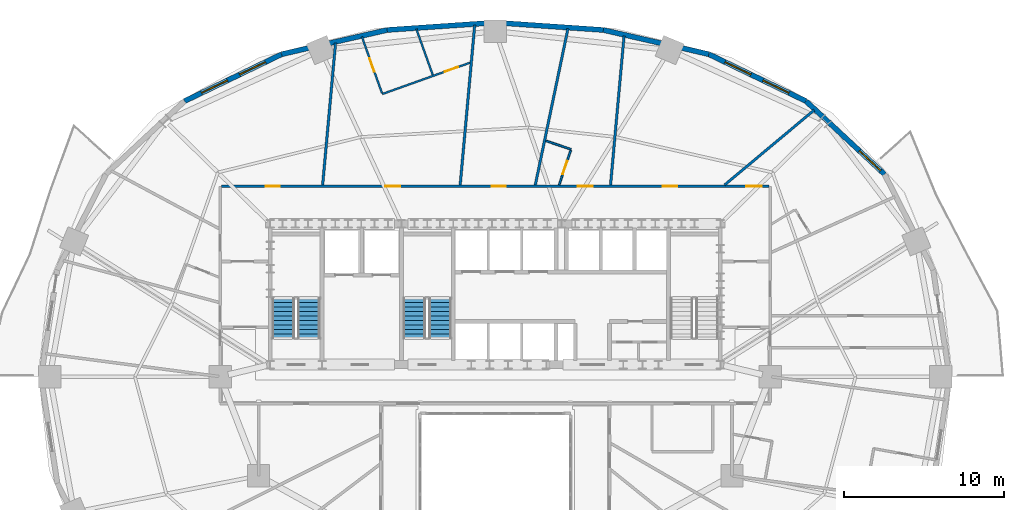
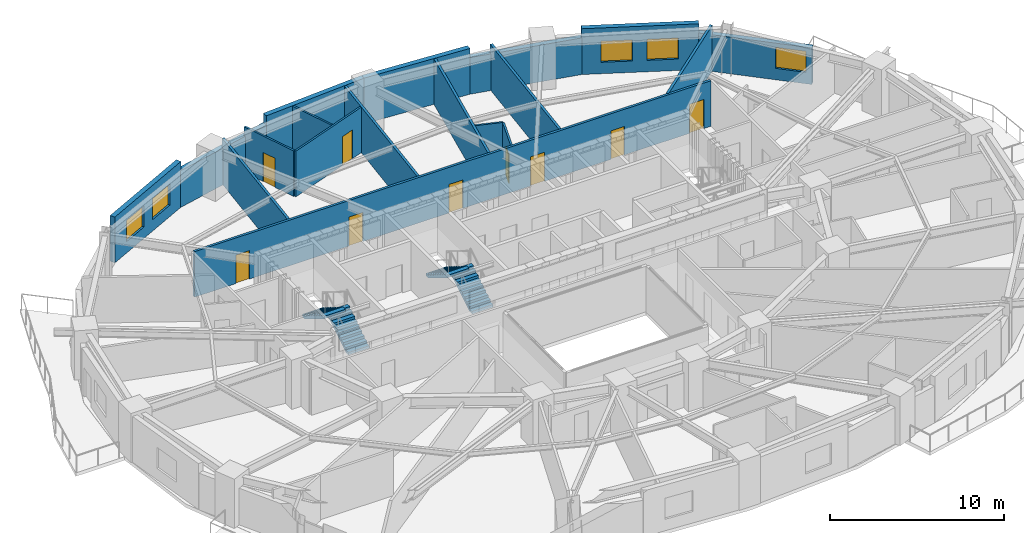
# One storey, part 11 of 15: 18 walls, 9 doors, 5 windows, 4 stair flights, 14 openings, 2 elements without a shape of their own.
"""IFC4 building model written with IfcOpenShell, lengths in metres."""

from ifc_helpers import new_model, si_unit, direction, frame, frame_2d, origin, place, context, subcontext, project, spatial, polyline, rectangle, outline, extrude, material, layer, layer_set, type_object, element, fill, aggregate, save


model = new_model("IFC4")

# Units and contexts
model_context = context("Model", 3, precision=1e-05, world=origin(), true_north=direction((0.0, 1.0)))
body_context = subcontext(model_context, "Body", "Model", "MODEL_VIEW")
ifc_project = project(units=[si_unit("LENGTHUNIT", "METRE"), si_unit("AREAUNIT", "SQUARE_METRE"), si_unit("VOLUMEUNIT", "CUBIC_METRE"), si_unit("PLANEANGLEUNIT", "RADIAN"), si_unit("MASSUNIT", "GRAM", prefix="KILO")], contexts=[model_context])

# Site, building, storey
site_placement = place(None, origin())
site = spatial("IfcSite", under=ifc_project, at=site_placement, CompositionType="ELEMENT")
building_placement = place(site_placement, origin())
building = spatial("IfcBuilding", under=site, at=building_placement, Name="Haldorwick Loom Tower", CompositionType="ELEMENT")
storey_placement = place(building_placement, frame((0.0, 0.0, 81.800048828125)))
storey = spatial("IfcBuildingStorey", under=building, at=storey_placement, Name="L21", CompositionType="ELEMENT", Elevation=81.800048828125)

# Wall, opening, window
ifc_material_1 = material(Name="Pressed Clay Face Brick and Insulated Masonry Backup Assembly", Category="masonry")
ifc_layer_1 = layer(ifc_material_1, 0.320068359375, Name="Pressed Clay Face Brick and Insulated Masonry Backup Assembly", Category="masonry")
ifc_layer_set_1 = layer_set([ifc_layer_1], Name="Pressed Clay Face Brick and Insulated Masonry Backup Assembly")
wall_type_1 = type_object("IfcWallType", Name="ARC-WL-EXT320", PredefinedType="STANDARD", material=ifc_layer_set_1)
wall_1_placement = place(storey_placement, frame((60.338623046875, 38.655517578125, 0.0), z_axis=(0.0, 0.0, 1.0), x_axis=(-0.732137360086, 0.681157020052, 0.0)))
wall_1 = element("IfcWall", 1, at=wall_1_placement, inside=storey, type_object=wall_type_1, Name="L21 Brick Pier and Spandrel Wall 3", PredefinedType="STANDARD", context=body_context, shape_type="SweptSolid", body=[
    extrude(rectangle(XDim=6.709228515625, YDim=0.320068359375, at=frame_2d((3.3544921875, 0.0))), origin(), (0.0, 0.0, 1.0), 2.56884765625),
])
opening_1_placement = place(wall_1_placement, frame((0.340087890625, 0.0, 0.800048828125)))
opening_1 = element("IfcOpeningElement", 2, at=opening_1_placement, cuts=wall_1, Name="Opening W-01", PredefinedType="OPENING", context=body_context, shape_type="SweptSolid", body=[
    extrude(rectangle(XDim=1.800048828125, YDim=1.47998046875, at=frame_2d((0.89990234375, 0.739990234375))), frame((0.0, 0.169921875, 0.0), z_axis=(0.0, -1.0, 0.0), x_axis=(1.0, 0.0, 0.0)), (0.0, 0.0, 1.0), 0.340087890625),
])
ifc_material_2 = material(Name="Triple-Glazed Low-E Argon Insulated Glazing Unit", Category="glass")
window_type = type_object("IfcWindowType", Name="ARC-WIN-W180", PartitioningType="SINGLE_PANEL", PredefinedType="WINDOW", material=ifc_material_2)
window_1_placement = place(opening_1_placement, origin())
window_1 = element("IfcWindow", 3, at=window_1_placement, inside=storey, type_object=window_type, Name="L21 Deep-Set Zone 7A Window 3", OverallHeight=1.47998046875, OverallWidth=1.800048828125, PartitioningType="SINGLE_PANEL", PredefinedType="WINDOW", context=body_context, shape_type="SweptSolid", body=[
    extrude(rectangle(XDim=1.800048828125, YDim=1.47998046875, at=frame_2d((0.89990234375, 0.739990234375))), frame((0.0, 0.030029296875, 0.0), z_axis=(0.0, -1.0, 0.0), x_axis=(1.0, 0.0, 0.0)), (0.0, 0.0, 1.0), 0.06005859375),
])
fill(opening_1, window_1)

# Wall, openings, windows
wall_2_placement = place(storey_placement, frame((55.426513671875, 43.2255859375, 0.0), z_axis=(0.0, 0.0, 1.0), x_axis=(-0.900510094661, 0.434835106004, 0.0)))
wall_2 = element("IfcWall", 4, at=wall_2_placement, inside=storey, type_object=wall_type_1, Name="L21 Brick Pier and Spandrel Wall 4", PredefinedType="STANDARD", context=body_context, shape_type="SweptSolid", body=[
    extrude(rectangle(XDim=6.744873046875, YDim=0.320068359375, at=frame_2d((3.37255859375, 0.0))), origin(), (0.0, 0.0, 1.0), 3.2099609375),
])
opening_2_placement = place(wall_2_placement, frame((1.180908203125, 0.0, 0.800048828125)))
opening_2 = element("IfcOpeningElement", 5, at=opening_2_placement, cuts=wall_2, Name="Opening W-01", PredefinedType="OPENING", context=body_context, shape_type="SweptSolid", body=[
    extrude(rectangle(XDim=1.800048828125, YDim=1.47998046875, at=frame_2d((0.89990234375, 0.739990234375))), frame((0.0, 0.169921875, 0.0), z_axis=(0.0, -1.0, 0.0), x_axis=(1.0, 0.0, 0.0)), (0.0, 0.0, 1.0), 0.340087890625),
])
opening_3_placement = place(wall_2_placement, frame((3.8212890625, 0.0, 0.800048828125)))
opening_3 = element("IfcOpeningElement", 6, at=opening_3_placement, cuts=wall_2, Name="Opening W-01", PredefinedType="OPENING", context=body_context, shape_type="SweptSolid", body=[
    extrude(rectangle(XDim=1.800048828125, YDim=1.47998046875, at=frame_2d((0.89990234375, 0.739990234375))), frame((0.0, 0.169921875, 0.0), z_axis=(0.0, -1.0, 0.0), x_axis=(1.0, 0.0, 0.0)), (0.0, 0.0, 1.0), 0.340087890625),
])
window_2_placement = place(opening_2_placement, origin())
window_2 = element("IfcWindow", 7, at=window_2_placement, inside=storey, type_object=window_type, Name="L21 Deep-Set Zone 7A Window 4", OverallHeight=1.47998046875, OverallWidth=1.800048828125, PartitioningType="SINGLE_PANEL", PredefinedType="WINDOW", context=body_context, shape_type="SweptSolid", body=[
    extrude(rectangle(XDim=1.800048828125, YDim=1.47998046875, at=frame_2d((0.89990234375, 0.739990234375))), frame((0.0, 0.030029296875, 0.0), z_axis=(0.0, -1.0, 0.0), x_axis=(1.0, 0.0, 0.0)), (0.0, 0.0, 1.0), 0.06005859375),
])
fill(opening_2, window_2)
window_3_placement = place(opening_3_placement, origin())
window_3 = element("IfcWindow", 8, at=window_3_placement, inside=storey, type_object=window_type, Name="L21 Deep-Set Zone 7A Window 4", OverallHeight=1.47998046875, OverallWidth=1.800048828125, PartitioningType="SINGLE_PANEL", PredefinedType="WINDOW", context=body_context, shape_type="SweptSolid", body=[
    extrude(rectangle(XDim=1.800048828125, YDim=1.47998046875, at=frame_2d((0.89990234375, 0.739990234375))), frame((0.0, 0.030029296875, 0.0), z_axis=(0.0, -1.0, 0.0), x_axis=(1.0, 0.0, 0.0)), (0.0, 0.0, 1.0), 0.06005859375),
])
fill(opening_3, window_3)

# Walls
wall_3_placement = place(storey_placement, frame((49.352783203125, 46.158447265625, 0.0), z_axis=(0.0, 0.0, 1.0), x_axis=(-0.974584177714, 0.224021607329, 0.0)))
element("IfcWall", 9, at=wall_3_placement, inside=storey, type_object=wall_type_1, Name="L21 Brick Pier and Spandrel Wall 5", PredefinedType="STANDARD", context=body_context, shape_type="SweptSolid", body=[
    extrude(rectangle(XDim=6.767822265625, YDim=0.320068359375, at=frame_2d((3.3837890625, 0.0))), origin(), (0.0, 0.0, 1.0), 2.56884765625),
])
for number, where, z_axis, x_axis, name in (
    (10, (42.757080078125, 47.674560546875, 0.0), (0.0, 0.0, 1.0), (-0.997651949344, 0.068487867318, 0.0), "L21 Brick Pier and Spandrel Wall 6"),
    (11, (36.0, 48.138427734375, 0.0), (0.0, 0.0, 1.0), (-0.997651949344, -0.068487867318, 0.0), "L21 Brick Pier and Spandrel Wall 7"),
):
    element("IfcWall", number, at=place(storey_placement, frame(where, z_axis=z_axis, x_axis=x_axis)), inside=storey, type_object=wall_type_1, Name=name, PredefinedType="STANDARD", context=body_context, shape_type="SweptSolid", body=[
        extrude(rectangle(XDim=6.77294921875, YDim=0.320068359375, at=frame_2d((3.386474609375, 0.0))), origin(), (0.0, 0.0, 1.0), 3.2099609375),
    ])
wall_4_placement = place(storey_placement, frame((29.242919921875, 47.674560546875, 0.0), z_axis=(0.0, 0.0, 1.0), x_axis=(-0.974584177714, -0.224021607329, 0.0)))
element("IfcWall", 12, at=wall_4_placement, inside=storey, type_object=wall_type_1, Name="L21 Brick Pier and Spandrel Wall 8", PredefinedType="STANDARD", context=body_context, shape_type="SweptSolid", body=[
    extrude(rectangle(XDim=6.767822265625, YDim=0.320068359375, at=frame_2d((3.3837890625, 0.0))), origin(), (0.0, 0.0, 1.0), 2.56884765625),
])

# Wall, openings, windows
wall_5_placement = place(storey_placement, frame((22.647216796875, 46.158447265625, 0.0), z_axis=(0.0, 0.0, 1.0), x_axis=(-0.900510094661, -0.434835106004, 0.0)))
wall_5 = element("IfcWall", 13, at=wall_5_placement, inside=storey, type_object=wall_type_1, Name="L21 Brick Pier and Spandrel Wall 9", PredefinedType="STANDARD", context=body_context, shape_type="SweptSolid", body=[
    extrude(rectangle(XDim=6.744873046875, YDim=0.320068359375, at=frame_2d((3.37255859375, 0.0))), origin(), (0.0, 0.0, 1.0), 3.2099609375),
])
opening_4_placement = place(wall_5_placement, frame((1.123291015625, 0.0, 0.800048828125)))
opening_4 = element("IfcOpeningElement", 14, at=opening_4_placement, cuts=wall_5, Name="Opening W-01", PredefinedType="OPENING", context=body_context, shape_type="SweptSolid", body=[
    extrude(rectangle(XDim=1.800048828125, YDim=1.47998046875, at=frame_2d((0.89990234375, 0.739990234375))), frame((0.0, 0.169921875, 0.0), z_axis=(0.0, -1.0, 0.0), x_axis=(1.0, 0.0, 0.0)), (0.0, 0.0, 1.0), 0.340087890625),
])
opening_5_placement = place(wall_5_placement, frame((3.763916015625, 0.0, 0.800048828125)))
opening_5 = element("IfcOpeningElement", 15, at=opening_5_placement, cuts=wall_5, Name="Opening W-01", PredefinedType="OPENING", context=body_context, shape_type="SweptSolid", body=[
    extrude(rectangle(XDim=1.800048828125, YDim=1.47998046875, at=frame_2d((0.89990234375, 0.739990234375))), frame((0.0, 0.169921875, 0.0), z_axis=(0.0, -1.0, 0.0), x_axis=(1.0, 0.0, 0.0)), (0.0, 0.0, 1.0), 0.340087890625),
])
window_4_placement = place(opening_4_placement, origin())
window_4 = element("IfcWindow", 16, at=window_4_placement, inside=storey, type_object=window_type, Name="L21 Deep-Set Zone 7A Window 9", OverallHeight=1.47998046875, OverallWidth=1.800048828125, PartitioningType="SINGLE_PANEL", PredefinedType="WINDOW", context=body_context, shape_type="SweptSolid", body=[
    extrude(rectangle(XDim=1.800048828125, YDim=1.47998046875, at=frame_2d((0.89990234375, 0.739990234375))), frame((0.0, 0.030029296875, 0.0), z_axis=(0.0, -1.0, 0.0), x_axis=(1.0, 0.0, 0.0)), (0.0, 0.0, 1.0), 0.06005859375),
])
fill(opening_4, window_4)
window_5_placement = place(opening_5_placement, origin())
window_5 = element("IfcWindow", 17, at=window_5_placement, inside=storey, type_object=window_type, Name="L21 Deep-Set Zone 7A Window 9", OverallHeight=1.47998046875, OverallWidth=1.800048828125, PartitioningType="SINGLE_PANEL", PredefinedType="WINDOW", context=body_context, shape_type="SweptSolid", body=[
    extrude(rectangle(XDim=1.800048828125, YDim=1.47998046875, at=frame_2d((0.89990234375, 0.739990234375))), frame((0.0, 0.030029296875, 0.0), z_axis=(0.0, -1.0, 0.0), x_axis=(1.0, 0.0, 0.0)), (0.0, 0.0, 1.0), 0.06005859375),
])
fill(opening_5, window_5)

# Wall, openings, doors
ifc_material_3 = material(Name="Fire-Rated Type X Gypsum Stud Assembly EI 60")
ifc_layer_2 = layer(ifc_material_3, 0.159912109375, Name="Fire-Rated Type X Gypsum Stud Assembly EI 60")
ifc_layer_set_2 = layer_set([ifc_layer_2], Name="Fire-Rated Type X Gypsum Stud Assembly EI 60")
wall_type_2 = type_object("IfcWallType", Name="ARC-WL-FIRE160", PredefinedType="PARTITIONING", material=ifc_layer_set_2)
wall_6_placement = place(storey_placement, frame((18.883056640625, 37.89990234375, 0.0), z_axis=(0.0, 0.0, 1.0), x_axis=(1.0, 0.0, 0.0)))
wall_6 = element("IfcWall", 18, at=wall_6_placement, inside=storey, type_object=wall_type_2, Name="L21 Residential Fire Partition L21-CR-N0", PredefinedType="PARTITIONING", context=body_context, shape_type="SweptSolid", body=[
    extrude(rectangle(XDim=34.23388671875, YDim=0.159912109375, at=frame_2d((17.116943359375, 0.0))), origin(), (0.0, 0.0, 1.0), 3.195068359375),
])
opening_6_placement = place(wall_6_placement, frame((10.23681640625, 0.0, 0.0)))
opening_6 = element("IfcOpeningElement", 19, at=opening_6_placement, cuts=wall_6, Name="Opening D-FL95", PredefinedType="OPENING", context=body_context, shape_type="SweptSolid", body=[
    extrude(rectangle(XDim=0.949951171875, YDim=2.0400390625, at=frame_2d((0.47509765625, 1.02001953125))), frame((0.0, 0.08984375, 0.0), z_axis=(0.0, -1.0, 0.0), x_axis=(1.0, 0.0, 0.0)), (0.0, 0.0, 1.0), 0.179931640625),
])
opening_7_placement = place(wall_6_placement, frame((27.599853515625, 0.0, 0.0)))
opening_7 = element("IfcOpeningElement", 20, at=opening_7_placement, cuts=wall_6, Name="Opening D-FD60A", PredefinedType="OPENING", context=body_context, shape_type="SweptSolid", body=[
    extrude(rectangle(XDim=0.89990234375, YDim=2.0, at=frame_2d((0.449951171875, 1.0))), frame((0.0, 0.08984375, 0.0), z_axis=(0.0, -1.0, 0.0), x_axis=(1.0, 0.0, 0.0)), (0.0, 0.0, 1.0), 0.179931640625),
])
opening_8_placement = place(wall_6_placement, frame((2.75244140625, 0.0, 0.0)))
opening_8 = element("IfcOpeningElement", 21, at=opening_8_placement, cuts=wall_6, Name="Opening D-FD60A", PredefinedType="OPENING", context=body_context, shape_type="SweptSolid", body=[
    extrude(rectangle(XDim=0.89990234375, YDim=2.0, at=frame_2d((0.449951171875, 1.0))), frame((0.0, 0.08984375, 0.0), z_axis=(0.0, -1.0, 0.0), x_axis=(1.0, 0.0, 0.0)), (0.0, 0.0, 1.0), 0.179931640625),
])
opening_9_placement = place(wall_6_placement, frame((16.887939453125, 0.0, 0.0)))
opening_9 = element("IfcOpeningElement", 22, at=opening_9_placement, cuts=wall_6, Name="Opening D-FD60A", PredefinedType="OPENING", context=body_context, shape_type="SweptSolid", body=[
    extrude(rectangle(XDim=0.89990234375, YDim=2.0, at=frame_2d((0.449951171875, 1.0))), frame((0.0, 0.08984375, 0.0), z_axis=(0.0, -1.0, 0.0), x_axis=(1.0, 0.0, 0.0)), (0.0, 0.0, 1.0), 0.179931640625),
])
opening_10_placement = place(wall_6_placement, frame((22.27392578125, 0.0, 0.0)))
opening_10 = element("IfcOpeningElement", 23, at=opening_10_placement, cuts=wall_6, Name="Opening D-FL95", PredefinedType="OPENING", context=body_context, shape_type="SweptSolid", body=[
    extrude(rectangle(XDim=0.949951171875, YDim=2.0400390625, at=frame_2d((0.47509765625, 1.02001953125))), frame((0.0, 0.08984375, 0.0), z_axis=(0.0, -1.0, 0.0), x_axis=(1.0, 0.0, 0.0)), (0.0, 0.0, 1.0), 0.179931640625),
])
opening_11_placement = place(wall_6_placement, frame((32.822021484375, 0.0, 0.0)))
opening_11 = element("IfcOpeningElement", 24, at=opening_11_placement, cuts=wall_6, Name="Opening D-FL95", PredefinedType="OPENING", context=body_context, shape_type="SweptSolid", body=[
    extrude(rectangle(XDim=0.949951171875, YDim=2.0400390625, at=frame_2d((0.47509765625, 1.02001953125))), frame((0.0, 0.08984375, 0.0), z_axis=(0.0, -1.0, 0.0), x_axis=(1.0, 0.0, 0.0)), (0.0, 0.0, 1.0), 0.179931640625),
])
ifc_material_4 = material(Name="Hollow Steel Fire Door Assembly", Category="steel")
door_type_1 = type_object("IfcDoorType", Name="ARC-DR-FD60-90", OperationType="NOTDEFINED", PredefinedType="DOOR", material=ifc_material_4)
door_1_placement = place(opening_7_placement, frame((0.89990234375, 0.0, 0.0), z_axis=(0.0, 0.0, 1.0), x_axis=(-1.0, 0.0, 0.0)))
door_1 = element("IfcDoor", 25, at=door_1_placement, inside=storey, type_object=door_type_1, Name="L21 Shared Resident Dining Hall 14 to L21 North Residential Corridor Doo", OperationType="SINGLE_SWING_RIGHT", OverallHeight=2.0, OverallWidth=0.89990234375, PredefinedType="DOOR", context=body_context, shape_type="SweptSolid", body=[
    extrude(rectangle(XDim=0.89990234375, YDim=2.0, at=frame_2d((0.449951171875, 1.0))), frame((0.0, 0.02490234375, 0.0), z_axis=(0.0, -1.0, 0.0), x_axis=(1.0, 0.0, 0.0)), (0.0, 0.0, 1.0), 0.050048828125),
])
fill(opening_7, door_1)
door_2_placement = place(opening_8_placement, frame((0.89990234375, 0.0, 0.0), z_axis=(0.0, 0.0, 1.0), x_axis=(-1.0, 0.0, 0.0)))
door_2 = element("IfcDoor", 26, at=door_2_placement, inside=storey, type_object=door_type_1, Name="L21 Shared Resident Dining Hall 3 to L21 North Residential Corridor Door", OperationType="SINGLE_SWING_LEFT", OverallHeight=2.0, OverallWidth=0.89990234375, PredefinedType="DOOR", context=body_context, shape_type="SweptSolid", body=[
    extrude(rectangle(XDim=0.89990234375, YDim=2.0, at=frame_2d((0.449951171875, 1.0))), frame((0.0, 0.02490234375, 0.0), z_axis=(0.0, -1.0, 0.0), x_axis=(1.0, 0.0, 0.0)), (0.0, 0.0, 1.0), 0.050048828125),
])
fill(opening_8, door_2)
door_3_placement = place(opening_9_placement, frame((0.89990234375, 0.0, 0.0), z_axis=(0.0, 0.0, 1.0), x_axis=(-1.0, 0.0, 0.0)))
door_3 = element("IfcDoor", 27, at=door_3_placement, inside=storey, type_object=door_type_1, Name="L21 Shared Resident Dining Hall 7 to L21 North Residential Corridor Door", OperationType="SINGLE_SWING_LEFT", OverallHeight=2.0, OverallWidth=0.89990234375, PredefinedType="DOOR", context=body_context, shape_type="SweptSolid", body=[
    extrude(rectangle(XDim=0.89990234375, YDim=2.0, at=frame_2d((0.449951171875, 1.0))), frame((0.0, 0.02490234375, 0.0), z_axis=(0.0, -1.0, 0.0), x_axis=(1.0, 0.0, 0.0)), (0.0, 0.0, 1.0), 0.050048828125),
])
fill(opening_9, door_3)
ifc_material_5 = material(Name="Solid Core Birch Architectural Door")
door_type_2 = type_object("IfcDoorType", Name="ARC-DR-FLAT95", OperationType="NOTDEFINED", PredefinedType="DOOR", material=ifc_material_5)
door_4_placement = place(opening_6_placement, frame((0.949951171875, 0.0, 0.0), z_axis=(0.0, 0.0, 1.0), x_axis=(-1.0, 0.0, 0.0)))
door_4 = element("IfcDoor", 28, at=door_4_placement, inside=storey, type_object=door_type_2, Name="L21 Unit 21E Kitchen and Living Room to L21 North Residential Corridor D", OperationType="SINGLE_SWING_LEFT", OverallHeight=2.0400390625, OverallWidth=0.949951171875, PredefinedType="DOOR", context=body_context, shape_type="SweptSolid", body=[
    extrude(rectangle(XDim=0.949951171875, YDim=2.0400390625, at=frame_2d((0.47509765625, 1.02001953125))), frame((0.0, 0.02490234375, 0.0), z_axis=(0.0, -1.0, 0.0), x_axis=(1.0, 0.0, 0.0)), (0.0, 0.0, 1.0), 0.050048828125),
])
fill(opening_6, door_4)
door_5_placement = place(opening_10_placement, frame((0.949951171875, 0.0, 0.0), z_axis=(0.0, 0.0, 1.0), x_axis=(-1.0, 0.0, 0.0)))
door_5 = element("IfcDoor", 29, at=door_5_placement, inside=storey, type_object=door_type_2, Name="L21 Unit 21F Kitchen and Studio Living Room to L21 North Residential Cor", OperationType="SINGLE_SWING_LEFT", OverallHeight=2.0400390625, OverallWidth=0.949951171875, PredefinedType="DOOR", context=body_context, shape_type="SweptSolid", body=[
    extrude(rectangle(XDim=0.949951171875, YDim=2.0400390625, at=frame_2d((0.47509765625, 1.02001953125))), frame((0.0, 0.02490234375, 0.0), z_axis=(0.0, -1.0, 0.0), x_axis=(1.0, 0.0, 0.0)), (0.0, 0.0, 1.0), 0.050048828125),
])
fill(opening_10, door_5)
door_6_placement = place(opening_11_placement, frame((0.949951171875, 0.0, 0.0), z_axis=(0.0, 0.0, 1.0), x_axis=(-1.0, 0.0, 0.0)))
door_6 = element("IfcDoor", 30, at=door_6_placement, inside=storey, type_object=door_type_2, Name="L21 Unit 21M Kitchen and Studio Living Room to L21 North Residential Cor", OperationType="SINGLE_SWING_LEFT", OverallHeight=2.0400390625, OverallWidth=0.949951171875, PredefinedType="DOOR", context=body_context, shape_type="SweptSolid", body=[
    extrude(rectangle(XDim=0.949951171875, YDim=2.0400390625, at=frame_2d((0.47509765625, 1.02001953125))), frame((0.0, 0.02490234375, 0.0), z_axis=(0.0, -1.0, 0.0), x_axis=(1.0, 0.0, 0.0)), (0.0, 0.0, 1.0), 0.050048828125),
])
fill(opening_11, door_6)

# Walls
wall_7_placement = place(storey_placement, frame((25.20751953125, 37.98291015625, 0.0), z_axis=(0.0, 0.0, 1.0), x_axis=(0.090491322793, 0.995897243946, 0.0)))
element("IfcWall", 31, at=wall_7_placement, inside=storey, type_object=wall_type_2, Name="L21 Residential Fire Partition L21-UPN-13", PredefinedType="PARTITIONING", context=body_context, shape_type="SweptSolid", body=[
    extrude(rectangle(XDim=8.91943359375, YDim=0.159912109375, at=frame_2d((4.459716796875, 0.0))), origin(), (0.0, 0.0, 1.0), 3.195068359375),
])
wall_8_placement = place(storey_placement, frame((33.8076171875, 37.98291015625, 0.0), z_axis=(0.0, 0.0, 1.0), x_axis=(0.090476568416, 0.995898584479, 0.0)))
element("IfcWall", 32, at=wall_8_placement, inside=storey, type_object=wall_type_2, Name="L21 Residential Fire Partition L21-UPN-14", PredefinedType="PARTITIONING", context=body_context, shape_type="SweptSolid", body=[
    extrude(rectangle(XDim=10.04345703125, YDim=0.159912109375, at=frame_2d((5.021728515625, 0.0))), origin(), (0.0, 0.0, 1.0), 3.195068359375),
])
wall_9_placement = place(storey_placement, frame((43.20751953125, 37.98291015625, 0.0), z_axis=(0.0, 0.0, 1.0), x_axis=(0.090486385292, 0.995897692575, 0.0)))
element("IfcWall", 33, at=wall_9_placement, inside=storey, type_object=wall_type_2, Name="L21 Residential Fire Partition L21-UPN-15", PredefinedType="PARTITIONING", context=body_context, shape_type="SweptSolid", body=[
    extrude(rectangle(XDim=9.364990234375, YDim=0.159912109375, at=frame_2d((4.6826171875, 0.0))), origin(), (0.0, 0.0, 1.0), 3.195068359375),
])
wall_10_placement = place(storey_placement, frame((38.503173828125, 37.98291015625, 0.0), z_axis=(0.0, 0.0, 1.0), x_axis=(0.204489055978, 0.978868850248, 0.0)))
element("IfcWall", 34, at=wall_10_placement, inside=storey, type_object=wall_type_2, Name="L21 Suite Split Wall", PredefinedType="PARTITIONING", context=body_context, shape_type="SweptSolid", body=[
    extrude(rectangle(XDim=9.989501953125, YDim=0.159912109375, at=frame_2d((4.99462890625, 0.0))), origin(), (0.0, 0.0, 1.0), 3.195068359375),
])
wall_11_placement = place(storey_placement, frame((50.3369140625, 37.98291015625, 0.0), z_axis=(0.0, 0.0, 1.0), x_axis=(0.767277099494, 0.641315719901, 0.0)))
element("IfcWall", 35, at=wall_11_placement, inside=storey, type_object=wall_type_2, Name="L21 Suite Split Wall", PredefinedType="PARTITIONING", context=body_context, shape_type="SweptSolid", body=[
    extrude(rectangle(XDim=7.29736328125, YDim=0.159912109375, at=frame_2d((3.648681640625, 0.0))), origin(), (0.0, 0.0, 1.0), 3.195068359375),
])

# Wall, opening, door
ifc_material_6 = material(Name="Acoustic Gypsum Stud Assembly STC 55")
ifc_layer_3 = layer(ifc_material_6, 0.1201171875, Name="Acoustic Gypsum Stud Assembly STC 55")
ifc_layer_set_3 = layer_set([ifc_layer_3], Name="Acoustic Gypsum Stud Assembly STC 55")
wall_type_3 = type_object("IfcWallType", Name="ARC-WL-PART120", PredefinedType="PARTITIONING", material=ifc_layer_set_3)
wall_12_placement = place(storey_placement, frame((34.418701171875, 45.626708984375, 0.0), z_axis=(0.0, 0.0, 1.0), x_axis=(-0.941850077661, -0.336033378118, 0.0)))
wall_12 = element("IfcWall", 36, at=wall_12_placement, inside=storey, type_object=wall_type_3, Name="L21 Unit 21E Interior Partition", PredefinedType="PARTITIONING", context=body_context, shape_type="SweptSolid", body=[
    extrude(rectangle(XDim=5.81884765625, YDim=0.1201171875, at=frame_2d((2.909423828125, 0.0))), origin(), (0.0, 0.0, 1.0), 3.195068359375),
])
opening_12_placement = place(wall_12_placement, frame((0.791015625, 0.0, 0.0)))
opening_12 = element("IfcOpeningElement", 37, at=opening_12_placement, cuts=wall_12, Name="Opening D-BT88", PredefinedType="OPENING", context=body_context, shape_type="SweptSolid", body=[
    extrude(rectangle(XDim=0.8798828125, YDim=2.02001953125, at=frame_2d((0.43994140625, 1.010009765625))), frame((0.0, 0.070068359375, 0.0), z_axis=(0.0, -1.0, 0.0), x_axis=(1.0, 0.0, 0.0)), (0.0, 0.0, 1.0), 0.14013671875),
])
door_type_3 = type_object("IfcDoorType", Name="ARC-DR-BATH88", OperationType="NOTDEFINED", PredefinedType="DOOR", material=ifc_material_5)
door_7_placement = place(opening_12_placement, origin())
door_7 = element("IfcDoor", 38, at=door_7_placement, inside=storey, type_object=door_type_3, Name="L21 Unit 21E Kitchen and Living Room to Unit 21E Bathroom Door", OperationType="SINGLE_SWING_RIGHT", OverallHeight=2.02001953125, OverallWidth=0.8798828125, PredefinedType="DOOR", context=body_context, shape_type="SweptSolid", body=[
    extrude(rectangle(XDim=0.8798828125, YDim=2.02001953125, at=frame_2d((0.43994140625, 1.010009765625))), frame((0.0, 0.02490234375, 0.0), z_axis=(0.0, -1.0, 0.0), x_axis=(1.0, 0.0, 0.0)), (0.0, 0.0, 1.0), 0.050048828125),
])
fill(opening_12, door_7)

wall_13_placement = place(storey_placement, frame((28.9169921875, 43.730712890625, 0.0), z_axis=(0.0, 0.0, 1.0), x_axis=(-0.336004763766, 0.941860286203, 0.0)))
wall_13 = element("IfcWall", 39, at=wall_13_placement, inside=storey, type_object=wall_type_3, Name="L21 Unit 21E Interior Partition", PredefinedType="PARTITIONING", context=body_context, shape_type="SweptSolid", body=[
    extrude(rectangle(XDim=3.731201171875, YDim=0.1201171875, at=frame_2d((1.86572265625, 0.0))), origin(), (0.0, 0.0, 1.0), 3.195068359375),
])
opening_13_placement = place(wall_13_placement, frame((1.41552734375, 0.0, 0.0)))
opening_13 = element("IfcOpeningElement", 40, at=opening_13_placement, cuts=wall_13, Name="Opening D-IN90", PredefinedType="OPENING", context=body_context, shape_type="SweptSolid", body=[
    extrude(rectangle(XDim=0.89990234375, YDim=2.0400390625, at=frame_2d((0.449951171875, 1.02001953125))), frame((0.0, 0.070068359375, 0.0), z_axis=(0.0, -1.0, 0.0), x_axis=(1.0, 0.0, 0.0)), (0.0, 0.0, 1.0), 0.14013671875),
])
door_type_4 = type_object("IfcDoorType", Name="ARC-DR-INT90", OperationType="NOTDEFINED", PredefinedType="DOOR", material=ifc_material_5)
door_8_placement = place(opening_13_placement, origin())
door_8 = element("IfcDoor", 41, at=door_8_placement, inside=storey, type_object=door_type_4, Name="L21 Unit 21E Kitchen and Living Room to Unit 21E Bedroom 1 Door", OperationType="SINGLE_SWING_LEFT", OverallHeight=2.0400390625, OverallWidth=0.89990234375, PredefinedType="DOOR", context=body_context, shape_type="SweptSolid", body=[
    extrude(rectangle(XDim=0.89990234375, YDim=2.0400390625, at=frame_2d((0.449951171875, 1.02001953125))), frame((0.0, 0.02490234375, 0.0), z_axis=(0.0, -1.0, 0.0), x_axis=(1.0, 0.0, 0.0)), (0.0, 0.0, 1.0), 0.050048828125),
])
fill(opening_13, door_8)

# Walls
wall_14_placement = place(storey_placement, frame((32.09130859375, 44.86328125, 0.0), z_axis=(0.0, 0.0, 1.0), x_axis=(-0.336026919077, 0.941852382094, 0.0)))
element("IfcWall", 42, at=wall_14_placement, inside=storey, type_object=wall_type_3, Name="L21 Unit 21E Interior Partition", PredefinedType="PARTITIONING", context=body_context, shape_type="SweptSolid", body=[
    extrude(rectangle(XDim=3.048583984375, YDim=0.1201171875, at=frame_2d((1.5244140625, 0.0))), origin(), (0.0, 0.0, 1.0), 3.195068359375),
])
wall_15_placement = place(storey_placement, frame((40.740234375, 40.21533203125, 0.0), z_axis=(0.0, 0.0, 1.0), x_axis=(-0.948403770047, 0.317065117856, 0.0)))
element("IfcWall", 43, at=wall_15_placement, inside=storey, type_object=wall_type_3, Name="L21 Unit 21F Interior Partition", PredefinedType="PARTITIONING", context=body_context, shape_type="SweptSolid", body=[
    extrude(rectangle(XDim=1.66162109375, YDim=0.1201171875, at=frame_2d((0.830810546875, 0.0))), origin(), (0.0, 0.0, 1.0), 3.195068359375),
])

# Wall, opening, door
wall_16_placement = place(storey_placement, frame((39.994140625, 37.98291015625, 0.0), z_axis=(0.0, 0.0, 1.0), x_axis=(0.316963059411, 0.948437883558, 0.0)))
wall_16 = element("IfcWall", 44, at=wall_16_placement, inside=storey, type_object=wall_type_3, Name="L21 Unit 21F Interior Partition", PredefinedType="PARTITIONING", context=body_context, shape_type="SweptSolid", body=[
    extrude(rectangle(XDim=2.290771484375, YDim=0.1201171875, at=frame_2d((1.1455078125, 0.0))), origin(), (0.0, 0.0, 1.0), 3.195068359375),
])
opening_14_placement = place(wall_16_placement, frame((0.705322265625, 0.0, 0.0)))
opening_14 = element("IfcOpeningElement", 45, at=opening_14_placement, cuts=wall_16, Name="Opening D-BT88", PredefinedType="OPENING", context=body_context, shape_type="SweptSolid", body=[
    extrude(rectangle(XDim=0.8798828125, YDim=2.02001953125, at=frame_2d((0.43994140625, 1.010009765625))), frame((0.0, 0.070068359375, 0.0), z_axis=(0.0, -1.0, 0.0), x_axis=(1.0, 0.0, 0.0)), (0.0, 0.0, 1.0), 0.14013671875),
])
door_9_placement = place(opening_14_placement, origin())
door_9 = element("IfcDoor", 46, at=door_9_placement, inside=storey, type_object=door_type_3, Name="L21 Unit 21F Bathroom to Unit 21F Kitchen and Studio Living Room Door", OperationType="SINGLE_SWING_LEFT", OverallHeight=2.02001953125, OverallWidth=0.8798828125, PredefinedType="DOOR", context=body_context, shape_type="SweptSolid", body=[
    extrude(rectangle(XDim=0.8798828125, YDim=2.02001953125, at=frame_2d((0.43994140625, 1.010009765625))), frame((0.0, 0.02490234375, 0.0), z_axis=(0.0, -1.0, 0.0), x_axis=(1.0, 0.0, 0.0)), (0.0, 0.0, 1.0), 0.050048828125),
])
fill(opening_14, door_9)

# Stair, stair flights
ifc_material_7 = material(Name="Concrete C40 (40 MPa)", Category="concrete")
stair_type = type_object("IfcStairType", Name="STR-STR-CORE", PredefinedType="HALF_TURN_STAIR", material=ifc_material_7)
stair_1_placement = place(storey_placement, origin())
stair_1 = element("IfcStair", 47, at=stair_1_placement, inside=storey, type_object=stair_type, Name="L21 Exit Stair ST-01", PredefinedType="HALF_TURN_STAIR")
stair_flight_type = type_object("IfcStairFlightType", Name="STR-STF-1250", PredefinedType="STRAIGHT", material=ifc_material_7)
stair_flight_1_placement = place(storey_placement, frame((24.35009765625, 28.39990234375, 0.0), z_axis=(0.0, 0.0, 1.0), x_axis=(0.0, 1.0, 0.0)))
stair_flight_1 = element("IfcStairFlight", 48, at=stair_flight_1_placement, type_object=stair_flight_type, Name="ST-01 flight 1", NumberOfRisers=10, NumberOfTreads=9, PredefinedType="STRAIGHT", RiserHeight=0.1725, TreadLength=0.28, context=body_context, shape_type="SweptSolid", body=[
    extrude(outline(polyline([(0.0, 0.0), (0.0, 0.172607421875), (0.280029296875, 0.172607421875), (0.280029296875, 0.344970703125), (0.56005859375, 0.344970703125), (0.56005859375, 0.517578125), (0.840087890625, 0.517578125), (0.840087890625, 0.68994140625), (1.1201171875, 0.68994140625), (1.1201171875, 0.862548828125), (1.39990234375, 0.862548828125), (1.39990234375, 1.034912109375), (1.679931640625, 1.034912109375), (1.679931640625, 1.20751953125), (1.9599609375, 1.20751953125), (1.9599609375, 1.3798828125), (2.239990234375, 1.3798828125), (2.239990234375, 1.552490234375), (2.52001953125, 1.552490234375), (2.52001953125, 1.72509765625), (2.52001953125, 1.37646484375), (0.285888671875, 0.0), (0.0, 0.0)])), frame((0.0, 0.699951171875, 0.0), z_axis=(0.0, -1.0, 0.0), x_axis=(1.0, 0.0, 0.0)), (0.0, 0.0, 1.0), 1.39990234375),
])
stair_flight_2_placement = place(storey_placement, frame((22.75, 30.919921875, 1.724853515625), z_axis=(0.0, 0.0, 1.0), x_axis=(0.0, -1.0, 0.0)))
stair_flight_2 = element("IfcStairFlight", 49, at=stair_flight_2_placement, type_object=stair_flight_type, Name="ST-01 flight 2", NumberOfRisers=10, NumberOfTreads=9, PredefinedType="STRAIGHT", RiserHeight=0.1725, TreadLength=0.28, context=body_context, shape_type="SweptSolid", body=[
    extrude(outline(polyline([(0.0, 0.0), (0.0, 0.172607421875), (0.280029296875, 0.172607421875), (0.280029296875, 0.344970703125), (0.56005859375, 0.344970703125), (0.56005859375, 0.517578125), (0.840087890625, 0.517578125), (0.840087890625, 0.68994140625), (1.1201171875, 0.68994140625), (1.1201171875, 0.862548828125), (1.39990234375, 0.862548828125), (1.39990234375, 1.034912109375), (1.679931640625, 1.034912109375), (1.679931640625, 1.20751953125), (1.9599609375, 1.20751953125), (1.9599609375, 1.3798828125), (2.239990234375, 1.3798828125), (2.239990234375, 1.552490234375), (2.52001953125, 1.552490234375), (2.52001953125, 1.72509765625), (2.52001953125, 1.37646484375), (0.285888671875, 0.0), (0.0, 0.0)])), frame((0.0, 0.699951171875, 0.0), z_axis=(0.0, -1.0, 0.0), x_axis=(1.0, 0.0, 0.0)), (0.0, 0.0, 1.0), 1.39990234375),
])
aggregate(stair_1, [stair_flight_1, stair_flight_2])

stair_2_placement = place(storey_placement, origin())
stair_2 = element("IfcStair", 50, at=stair_2_placement, inside=storey, type_object=stair_type, Name="L21 Exit Stair ST-03", PredefinedType="HALF_TURN_STAIR")
stair_flight_3_placement = place(storey_placement, frame((32.550048828125, 28.39990234375, 0.0), z_axis=(0.0, 0.0, 1.0), x_axis=(0.0, 1.0, 0.0)))
stair_flight_3 = element("IfcStairFlight", 51, at=stair_flight_3_placement, type_object=stair_flight_type, Name="ST-03 flight 1", NumberOfRisers=10, NumberOfTreads=9, PredefinedType="STRAIGHT", RiserHeight=0.1725, TreadLength=0.28, context=body_context, shape_type="SweptSolid", body=[
    extrude(outline(polyline([(0.0, 0.0), (0.0, 0.172607421875), (0.280029296875, 0.172607421875), (0.280029296875, 0.344970703125), (0.56005859375, 0.344970703125), (0.56005859375, 0.517578125), (0.840087890625, 0.517578125), (0.840087890625, 0.68994140625), (1.1201171875, 0.68994140625), (1.1201171875, 0.862548828125), (1.39990234375, 0.862548828125), (1.39990234375, 1.034912109375), (1.679931640625, 1.034912109375), (1.679931640625, 1.20751953125), (1.9599609375, 1.20751953125), (1.9599609375, 1.3798828125), (2.239990234375, 1.3798828125), (2.239990234375, 1.552490234375), (2.52001953125, 1.552490234375), (2.52001953125, 1.72509765625), (2.52001953125, 1.37646484375), (0.285888671875, 0.0), (0.0, 0.0)])), frame((0.0, 0.699951171875, 0.0), z_axis=(0.0, -1.0, 0.0), x_axis=(1.0, 0.0, 0.0)), (0.0, 0.0, 1.0), 1.39990234375),
])
stair_flight_4_placement = place(storey_placement, frame((30.949951171875, 30.919921875, 1.724853515625), z_axis=(0.0, 0.0, 1.0), x_axis=(0.0, -1.0, 0.0)))
stair_flight_4 = element("IfcStairFlight", 52, at=stair_flight_4_placement, type_object=stair_flight_type, Name="ST-03 flight 2", NumberOfRisers=10, NumberOfTreads=9, PredefinedType="STRAIGHT", RiserHeight=0.1725, TreadLength=0.28, context=body_context, shape_type="SweptSolid", body=[
    extrude(outline(polyline([(0.0, 0.0), (0.0, 0.172607421875), (0.280029296875, 0.172607421875), (0.280029296875, 0.344970703125), (0.56005859375, 0.344970703125), (0.56005859375, 0.517578125), (0.840087890625, 0.517578125), (0.840087890625, 0.68994140625), (1.1201171875, 0.68994140625), (1.1201171875, 0.862548828125), (1.39990234375, 0.862548828125), (1.39990234375, 1.034912109375), (1.679931640625, 1.034912109375), (1.679931640625, 1.20751953125), (1.9599609375, 1.20751953125), (1.9599609375, 1.3798828125), (2.239990234375, 1.3798828125), (2.239990234375, 1.552490234375), (2.52001953125, 1.552490234375), (2.52001953125, 1.72509765625), (2.52001953125, 1.37646484375), (0.285888671875, 0.0), (0.0, 0.0)])), frame((0.0, 0.699951171875, 0.0), z_axis=(0.0, -1.0, 0.0), x_axis=(1.0, 0.0, 0.0)), (0.0, 0.0, 1.0), 1.39990234375),
])
aggregate(stair_2, [stair_flight_3, stair_flight_4])

save(model, "model.ifc")
